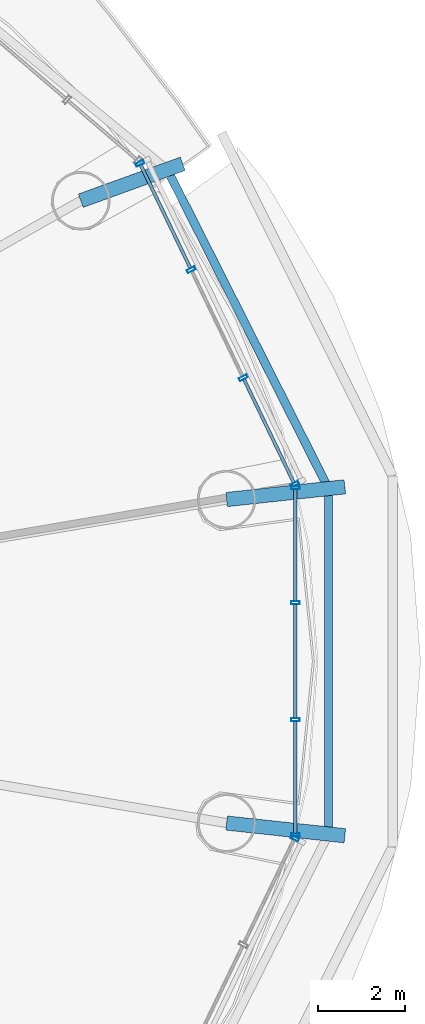
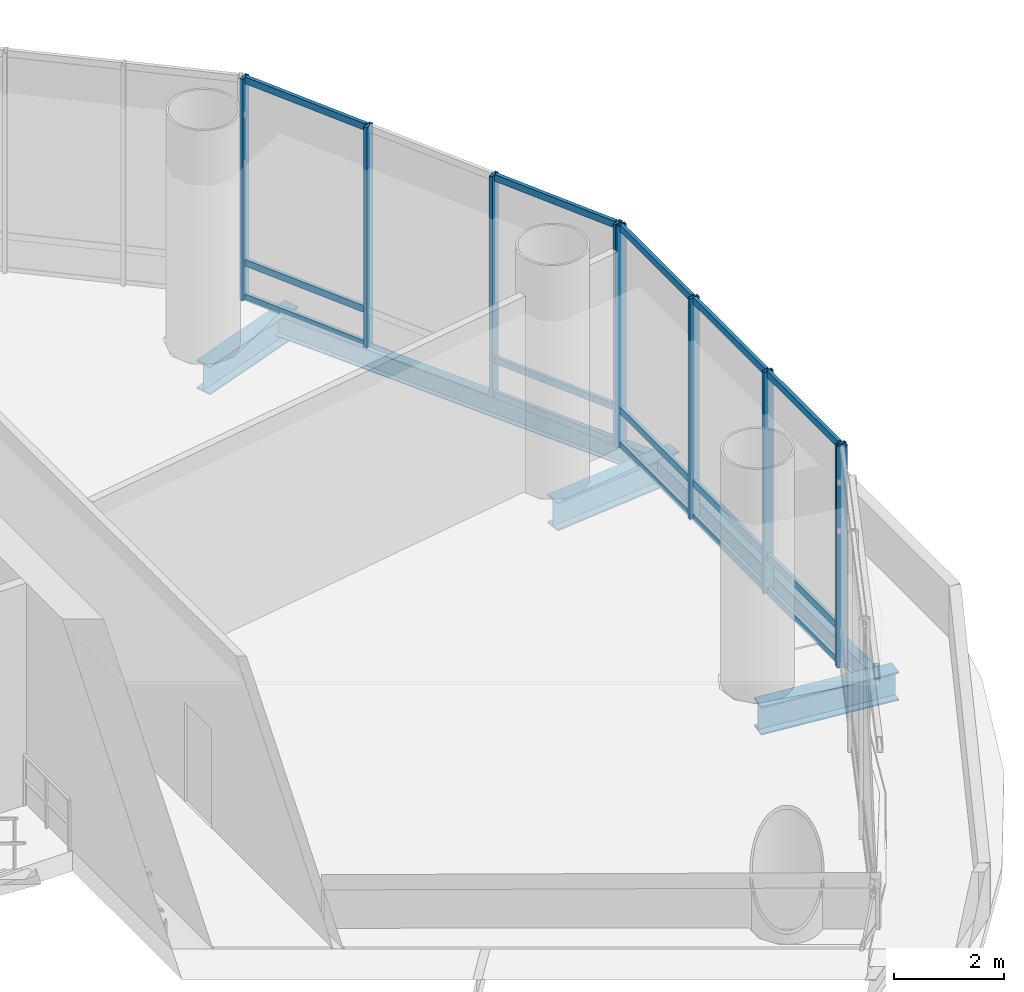
# One storey, part 13 of 29: 24 members, 5 beams, 3 elements without a shape of their own.
"""IFC4 building model written with IfcOpenShell, lengths in metres."""

from ifc_helpers import new_model, si_unit, direction, frame, origin, origin_2d, place, context, subcontext, project, spatial, hollow_rectangle, i_section, extrude, source, transform, mapped, material, material_profile, profile_set, type_object, element, aggregate, save


model = new_model("IFC4")

# Units and contexts
model_context = context("Model", 3, precision=1e-05, world=origin(), true_north=direction((-0.2419218956, 0.970295726276)))
body_context = subcontext(model_context, "Body", "Model", "MODEL_VIEW")
ifc_project = project(units=[si_unit("LENGTHUNIT", "METRE"), si_unit("AREAUNIT", "SQUARE_METRE"), si_unit("VOLUMEUNIT", "CUBIC_METRE"), si_unit("PLANEANGLEUNIT", "RADIAN"), si_unit("MASSUNIT", "GRAM", prefix="KILO")], contexts=[model_context])

# Site, building, storey
site_placement = place(None, origin())
site = spatial("IfcSite", under=ifc_project, at=site_placement, CompositionType="ELEMENT")
building_placement = place(site_placement, origin())
building = spatial("IfcBuilding", under=site, at=building_placement, Name="Cobrevalo Terracotta Tower", CompositionType="ELEMENT")
storey_placement = place(building_placement, frame((0.0, 0.0, 130.199951171875)))
storey = spatial("IfcBuildingStorey", under=building, at=storey_placement, Name="L34", CompositionType="ELEMENT", Elevation=130.199951171875)

# Beams
ifc_material_1 = material(Name="Steel S355", Category="steel")
ifc_material_profile_1 = material_profile(ifc_material_1, i_section(OverallWidth=0.3291015625, OverallDepth=0.635009765625, WebThickness=0.017822265625, FlangeThickness=0.031005859375, at=origin_2d()), Name="W 610x241")
ifc_profile_set_1 = profile_set([ifc_material_profile_1], Name="Steel S355")
beam_type_1 = type_object("IfcBeamType", Name="Structural Beam W 610x241 (Steel S355)", PredefinedType="BEAM", material=ifc_profile_set_1)
beam_1_placement = place(storey_placement, frame((62.848388671875, 30.830322265625, -0.767333984375), z_axis=(-0.994241385365, -0.107163742135, 0.0), x_axis=(0.107163742135, -0.994241385365, 0.0)))
element("IfcBeam", 1, at=beam_1_placement, inside=storey, type_object=beam_type_1, Name="L34 setback step-link girder 01", PredefinedType="BEAM", context=body_context, shape_type="SweptSolid", body=[
    extrude(i_section(OverallWidth=0.3291015625, OverallDepth=0.635009765625, WebThickness=0.017822265625, FlangeThickness=0.031005859375, at=origin_2d()), origin(), (0.0, 0.0, 1.0), 2.74755859375),
])
beam_2_placement = place(storey_placement, frame((59.1025390625, 38.290771484375, -0.767333984375), z_axis=(-0.94030515472, -0.340332508007, 0.0), x_axis=(0.340332508007, -0.94030515472, 0.0)))
element("IfcBeam", 2, at=beam_2_placement, inside=storey, type_object=beam_type_1, Name="L34 setback step-link girder 02", PredefinedType="BEAM", context=body_context, shape_type="SweptSolid", body=[
    extrude(i_section(OverallWidth=0.3291015625, OverallDepth=0.635009765625, WebThickness=0.017822265625, FlangeThickness=0.031005859375, at=origin_2d()), origin(), (0.0, 0.0, 1.0), 2.502197265625),
])
beam_3_placement = place(storey_placement, frame((62.848388671875, 22.769775390625, -0.767333984375), z_axis=(-0.994250849183, 0.107075902517, 0.0), x_axis=(-0.107075902517, -0.994250849183, 0.0)))
element("IfcBeam", 3, at=beam_3_placement, inside=storey, type_object=beam_type_1, Name="L34 setback step-link girder 16", PredefinedType="BEAM", context=body_context, shape_type="SweptSolid", body=[
    extrude(i_section(OverallWidth=0.3291015625, OverallDepth=0.635009765625, WebThickness=0.017822265625, FlangeThickness=0.031005859375, at=origin_2d()), origin(), (0.0, 0.0, 1.0), 2.74755859375),
])
ifc_material_profile_2 = material_profile(ifc_material_1, i_section(OverallWidth=0.194091796875, OverallDepth=0.468994140625, WebThickness=0.011474609375, FlangeThickness=0.0205078125, at=origin_2d()), Name="W 460x106")
ifc_profile_set_2 = profile_set([ifc_material_profile_2], Name="Steel S355")
beam_type_2 = type_object("IfcBeamType", Name="Structural Spandrel W 460x106 (Steel S355)", PredefinedType="SPANDREL", material=ifc_profile_set_2)
beam_4_placement = place(storey_placement, frame((62.470703125, 30.78955078125, -0.6845703125), z_axis=(-0.451051982172, 0.892497680321, 0.0), x_axis=(-0.892497680321, -0.451051982172, 0.0)))
element("IfcBeam", 4, at=beam_4_placement, inside=storey, type_object=beam_type_2, Name="L34 perimeter ring spandrel 01", PredefinedType="SPANDREL", context=body_context, shape_type="SweptSolid", body=[
    extrude(i_section(OverallWidth=0.194091796875, OverallDepth=0.468994140625, WebThickness=0.011474609375, FlangeThickness=0.0205078125, at=origin_2d()), origin(), (0.0, 0.0, 1.0), 8.259765625),
])
beam_5_placement = place(storey_placement, frame((62.470703125, 22.810302734375, -0.6845703125), z_axis=(0.0, 1.0, 0.0), x_axis=(-1.0, 0.0, 0.0)))
element("IfcBeam", 5, at=beam_5_placement, inside=storey, type_object=beam_type_2, Name="L34 perimeter ring spandrel 16", PredefinedType="SPANDREL", context=body_context, shape_type="SweptSolid", body=[
    extrude(i_section(OverallWidth=0.194091796875, OverallDepth=0.468994140625, WebThickness=0.011474609375, FlangeThickness=0.0205078125, at=origin_2d()), origin(), (0.0, 0.0, 1.0), 7.979248046875),
])

# Curtain wall, members
ifc_material_2 = material(Name="Anodized aluminium", Category="aluminium")
curtain_wall_type = type_object("IfcCurtainWallType", Name="Double-height sky-lobby panoramic curtain wall CW-SK", PredefinedType="NOTDEFINED", material=ifc_material_2)
curtain_wall_1_placement = place(storey_placement, origin())
curtain_wall_1 = element("IfcCurtainWall", 6, at=curtain_wall_1_placement, inside=storey, type_object=curtain_wall_type, Name="L34 curtain wall CW-SK-L34-S01", PredefinedType="NOTDEFINED")
ifc_material_profile_3 = material_profile(ifc_material_2, hollow_rectangle(XDim=0.074951171875, YDim=0.199951171875, WallThickness=0.0048828125, at=origin_2d()), Name="CWM 75x200")
ifc_profile_set_3 = profile_set([ifc_material_profile_3], Name="Anodized aluminium")
member_type_1 = type_object("IfcMemberType", Name="Lower/mid tower unitised mullion 75x200", PredefinedType="MULLION", material=ifc_profile_set_3)
shared_shape_1 = source(origin(), body_context, "Body", "SweptSolid", [
    extrude(hollow_rectangle(XDim=0.074951171875, YDim=0.199951171875, WallThickness=0.0048828125, at=origin_2d()), origin(), (0.0, 0.0, 1.0), 4.929931640625),
])
member_1_placement = place(storey_placement, frame((61.688232421875, 30.887939453125, 0.0), z_axis=(0.0, 0.0, 1.0), x_axis=(-0.434209440271, 0.900811945957, 0.0)))
member_1 = element("IfcMember", 7, at=member_1_placement, type_object=member_type_1, Name="CW-SK-L34-S01 vertical mullion 01", PredefinedType="MULLION", context=body_context, shape_type="MappedRepresentation", body=[
    mapped(shared_shape_1, transform((0.0, 0.0, 0.0), scale=1.0)),
])
member_2_placement = place(storey_placement, frame((60.502685546875, 33.34765625, 0.0), z_axis=(0.0, 0.0, 1.0), x_axis=(-0.434209440271, 0.900811945957, 0.0)))
member_2 = element("IfcMember", 8, at=member_2_placement, type_object=member_type_1, Name="CW-SK-L34-S01 vertical mullion 02", PredefinedType="MULLION", context=body_context, shape_type="MappedRepresentation", body=[
    mapped(shared_shape_1, transform((0.0, 0.0, 0.0), scale=1.0)),
])
member_3_placement = place(storey_placement, frame((59.299560546875, 35.843505859375, 0.0), z_axis=(0.0, 0.0, 1.0), x_axis=(-0.434209440271, 0.900811945957, 0.0)))
member_3 = element("IfcMember", 9, at=member_3_placement, type_object=member_type_1, Name="CW-SK-L34-S01 vertical mullion 03", PredefinedType="MULLION", context=body_context, shape_type="MappedRepresentation", body=[
    mapped(shared_shape_1, transform((0.0, 0.0, 0.0), scale=1.0)),
])
member_4_placement = place(storey_placement, frame((58.114013671875, 38.30322265625, 0.0), z_axis=(0.0, 0.0, 1.0), x_axis=(-0.434209440271, 0.900811945957, 0.0)))
member_4 = element("IfcMember", 10, at=member_4_placement, type_object=member_type_1, Name="CW-SK-L34-S01 vertical mullion 04", PredefinedType="MULLION", context=body_context, shape_type="MappedRepresentation", body=[
    mapped(shared_shape_1, transform((0.0, 0.0, 0.0), scale=1.0)),
])

# Curtain wall, member
curtain_wall_2_placement = place(storey_placement, origin())
curtain_wall_2 = element("IfcCurtainWall", 11, at=curtain_wall_2_placement, inside=storey, type_object=curtain_wall_type, Name="L34 curtain wall CW-SK-L34-S15", PredefinedType="NOTDEFINED")
member_5_placement = place(storey_placement, frame((61.688232421875, 22.7119140625, 0.0), z_axis=(0.0, 0.0, 1.0), x_axis=(0.434209440271, 0.900811945957, 0.0)))
member_5 = element("IfcMember", 12, at=member_5_placement, type_object=member_type_1, Name="CW-SK-L34-S15 vertical mullion 04", PredefinedType="MULLION", context=body_context, shape_type="MappedRepresentation", body=[
    mapped(shared_shape_1, transform((0.0, 0.0, 0.0), scale=1.0)),
])
aggregate(curtain_wall_2, [member_5])

# Curtain wall, members
curtain_wall_3_placement = place(storey_placement, origin())
curtain_wall_3 = element("IfcCurtainWall", 13, at=curtain_wall_3_placement, inside=storey, type_object=curtain_wall_type, Name="L34 curtain wall CW-SK-L34-S16", PredefinedType="NOTDEFINED")
member_6_placement = place(storey_placement, frame((61.70556640625, 22.7880859375, 0.0), z_axis=(0.0, 0.0, 1.0), x_axis=(0.0, 1.0, 0.0)))
member_6 = element("IfcMember", 14, at=member_6_placement, type_object=member_type_1, Name="CW-SK-L34-S16 vertical mullion 01", PredefinedType="MULLION", context=body_context, shape_type="MappedRepresentation", body=[
    mapped(shared_shape_1, transform((0.0, 0.0, 0.0), scale=1.0)),
])
member_7_placement = place(storey_placement, frame((61.70556640625, 25.44921875, 0.0), z_axis=(0.0, 0.0, 1.0), x_axis=(0.0, 1.0, 0.0)))
member_7 = element("IfcMember", 15, at=member_7_placement, type_object=member_type_1, Name="CW-SK-L34-S16 vertical mullion 02", PredefinedType="MULLION", context=body_context, shape_type="MappedRepresentation", body=[
    mapped(shared_shape_1, transform((0.0, 0.0, 0.0), scale=1.0)),
])
member_8_placement = place(storey_placement, frame((61.70556640625, 28.150634765625, 0.0), z_axis=(0.0, 0.0, 1.0), x_axis=(0.0, 1.0, 0.0)))
member_8 = element("IfcMember", 16, at=member_8_placement, type_object=member_type_1, Name="CW-SK-L34-S16 vertical mullion 03", PredefinedType="MULLION", context=body_context, shape_type="MappedRepresentation", body=[
    mapped(shared_shape_1, transform((0.0, 0.0, 0.0), scale=1.0)),
])
member_9_placement = place(storey_placement, frame((61.70556640625, 30.81201171875, 0.0), z_axis=(0.0, 0.0, 1.0), x_axis=(0.0, 1.0, 0.0)))
member_9 = element("IfcMember", 17, at=member_9_placement, type_object=member_type_1, Name="CW-SK-L34-S16 vertical mullion 04", PredefinedType="MULLION", context=body_context, shape_type="MappedRepresentation", body=[
    mapped(shared_shape_1, transform((0.0, 0.0, 0.0), scale=1.0)),
])

# Member
ifc_material_profile_4 = material_profile(ifc_material_2, hollow_rectangle(XDim=0.074951171875, YDim=0.14990234375, WallThickness=0.00439453125, at=origin_2d()), Name="CWT 75x150")
ifc_profile_set_4 = profile_set([ifc_material_profile_4], Name="Anodized aluminium")
member_type_2 = type_object("IfcMemberType", Name="Tower unitised aluminium transom 75x150", PredefinedType="USERDEFINED", material=ifc_profile_set_4)
shared_shape_2 = source(origin(), body_context, "Body", "SweptSolid", [
    extrude(hollow_rectangle(XDim=0.074951171875, YDim=0.14990234375, WallThickness=0.00439453125, at=origin_2d()), origin(), (0.0, 0.0, 1.0), 2.650634765625),
])
member_10_placement = place(storey_placement, frame((61.6708984375, 30.924072265625, 0.050048828125), z_axis=(-0.434197756715, 0.900817577572, 0.0), x_axis=(-0.900817577572, -0.434197756715, 0.0)))
member_10 = element("IfcMember", 18, at=member_10_placement, type_object=member_type_2, Name="CW-SK-L34-S01 transom B01-T1", ObjectType="TRANSOM", PredefinedType="USERDEFINED", context=body_context, shape_type="MappedRepresentation", body=[
    mapped(shared_shape_2, transform((0.0, 0.0, 0.0), scale=1.0)),
])

member_11_placement = place(storey_placement, frame((61.6708984375, 30.924072265625, 0.820068359375), z_axis=(-0.434197756715, 0.900817577572, 0.0), x_axis=(-0.900817577572, -0.434197756715, 0.0)))
member_11 = element("IfcMember", 19, at=member_11_placement, type_object=member_type_2, Name="CW-SK-L34-S01 transom B01-T2", ObjectType="TRANSOM", PredefinedType="USERDEFINED", context=body_context, shape_type="MappedRepresentation", body=[
    mapped(shared_shape_2, transform((0.0, 0.0, 0.0), scale=1.0)),
])

member_12_placement = place(storey_placement, frame((61.6708984375, 30.924072265625, 4.880126953125), z_axis=(-0.434197756715, 0.900817577572, 0.0), x_axis=(-0.900817577572, -0.434197756715, 0.0)))
member_12 = element("IfcMember", 20, at=member_12_placement, type_object=member_type_2, Name="CW-SK-L34-S01 transom B01-T3", ObjectType="TRANSOM", PredefinedType="USERDEFINED", context=body_context, shape_type="MappedRepresentation", body=[
    mapped(shared_shape_2, transform((0.0, 0.0, 0.0), scale=1.0)),
])

member_13_placement = place(storey_placement, frame((59.2822265625, 35.87939453125, 0.050048828125), z_axis=(-0.434197756715, 0.900817577572, 0.0), x_axis=(-0.900817577572, -0.434197756715, 0.0)))
member_13 = element("IfcMember", 21, at=member_13_placement, type_object=member_type_2, Name="CW-SK-L34-S01 transom B03-T1", ObjectType="TRANSOM", PredefinedType="USERDEFINED", context=body_context, shape_type="MappedRepresentation", body=[
    mapped(shared_shape_2, transform((0.0, 0.0, 0.0), scale=1.0)),
])

member_14_placement = place(storey_placement, frame((59.2822265625, 35.87939453125, 0.820068359375), z_axis=(-0.434197756715, 0.900817577572, 0.0), x_axis=(-0.900817577572, -0.434197756715, 0.0)))
member_14 = element("IfcMember", 22, at=member_14_placement, type_object=member_type_2, Name="CW-SK-L34-S01 transom B03-T2", ObjectType="TRANSOM", PredefinedType="USERDEFINED", context=body_context, shape_type="MappedRepresentation", body=[
    mapped(shared_shape_2, transform((0.0, 0.0, 0.0), scale=1.0)),
])

member_15_placement = place(storey_placement, frame((59.2822265625, 35.87939453125, 4.880126953125), z_axis=(-0.434197756715, 0.900817577572, 0.0), x_axis=(-0.900817577572, -0.434197756715, 0.0)))
member_15 = element("IfcMember", 23, at=member_15_placement, type_object=member_type_2, Name="CW-SK-L34-S01 transom B03-T3", ObjectType="TRANSOM", PredefinedType="USERDEFINED", context=body_context, shape_type="MappedRepresentation", body=[
    mapped(shared_shape_2, transform((0.0, 0.0, 0.0), scale=1.0)),
])

aggregate(curtain_wall_1, [member_1, member_2, member_3, member_4, member_10, member_11, member_12, member_13, member_14, member_15])

shared_shape_3 = source(origin(), body_context, "Body", "SweptSolid", [
    extrude(hollow_rectangle(XDim=0.074951171875, YDim=0.14990234375, WallThickness=0.00439453125, at=origin_2d()), origin(), (0.0, 0.0, 1.0), 2.581298828125),
])
member_16_placement = place(storey_placement, frame((61.70556640625, 28.190673828125, 0.050048828125), z_axis=(0.0, 1.0, 0.0), x_axis=(-1.0, 0.0, 0.0)))
member_16 = element("IfcMember", 24, at=member_16_placement, type_object=member_type_2, Name="CW-SK-L34-S16 transom B03-T1", ObjectType="TRANSOM", PredefinedType="USERDEFINED", context=body_context, shape_type="MappedRepresentation", body=[
    mapped(shared_shape_3, transform((0.0, 0.0, 0.0), scale=1.0)),
])

member_17_placement = place(storey_placement, frame((61.70556640625, 28.190673828125, 0.820068359375), z_axis=(0.0, 1.0, 0.0), x_axis=(-1.0, 0.0, 0.0)))
member_17 = element("IfcMember", 25, at=member_17_placement, type_object=member_type_2, Name="CW-SK-L34-S16 transom B03-T2", ObjectType="TRANSOM", PredefinedType="USERDEFINED", context=body_context, shape_type="MappedRepresentation", body=[
    mapped(shared_shape_3, transform((0.0, 0.0, 0.0), scale=1.0)),
])

member_18_placement = place(storey_placement, frame((61.70556640625, 28.190673828125, 4.880126953125), z_axis=(0.0, 1.0, 0.0), x_axis=(-1.0, 0.0, 0.0)))
member_18 = element("IfcMember", 26, at=member_18_placement, type_object=member_type_2, Name="CW-SK-L34-S16 transom B03-T3", ObjectType="TRANSOM", PredefinedType="USERDEFINED", context=body_context, shape_type="MappedRepresentation", body=[
    mapped(shared_shape_3, transform((0.0, 0.0, 0.0), scale=1.0)),
])

shared_shape_4 = source(origin(), body_context, "Body", "SweptSolid", [
    extrude(hollow_rectangle(XDim=0.074951171875, YDim=0.14990234375, WallThickness=0.00439453125, at=origin_2d()), origin(), (0.0, 0.0, 1.0), 2.621337890625),
])
member_19_placement = place(storey_placement, frame((61.70556640625, 25.4892578125, 0.050048828125), z_axis=(0.0, 1.0, 0.0), x_axis=(-1.0, 0.0, 0.0)))
member_19 = element("IfcMember", 27, at=member_19_placement, type_object=member_type_2, Name="CW-SK-L34-S16 transom B02-T1", ObjectType="TRANSOM", PredefinedType="USERDEFINED", context=body_context, shape_type="MappedRepresentation", body=[
    mapped(shared_shape_4, transform((0.0, 0.0, 0.0), scale=1.0)),
])

member_20_placement = place(storey_placement, frame((61.70556640625, 25.4892578125, 0.820068359375), z_axis=(0.0, 1.0, 0.0), x_axis=(-1.0, 0.0, 0.0)))
member_20 = element("IfcMember", 28, at=member_20_placement, type_object=member_type_2, Name="CW-SK-L34-S16 transom B02-T2", ObjectType="TRANSOM", PredefinedType="USERDEFINED", context=body_context, shape_type="MappedRepresentation", body=[
    mapped(shared_shape_4, transform((0.0, 0.0, 0.0), scale=1.0)),
])

member_21_placement = place(storey_placement, frame((61.70556640625, 25.4892578125, 4.880126953125), z_axis=(0.0, 1.0, 0.0), x_axis=(-1.0, 0.0, 0.0)))
member_21 = element("IfcMember", 29, at=member_21_placement, type_object=member_type_2, Name="CW-SK-L34-S16 transom B02-T3", ObjectType="TRANSOM", PredefinedType="USERDEFINED", context=body_context, shape_type="MappedRepresentation", body=[
    mapped(shared_shape_4, transform((0.0, 0.0, 0.0), scale=1.0)),
])

shared_shape_5 = source(origin(), body_context, "Body", "SweptSolid", [
    extrude(hollow_rectangle(XDim=0.074951171875, YDim=0.14990234375, WallThickness=0.00439453125, at=origin_2d()), origin(), (0.0, 0.0, 1.0), 2.58154296875),
])
member_22_placement = place(storey_placement, frame((61.70556640625, 22.827880859375, 0.050048828125), z_axis=(0.0, 1.0, 0.0), x_axis=(-1.0, 0.0, 0.0)))
member_22 = element("IfcMember", 30, at=member_22_placement, type_object=member_type_2, Name="CW-SK-L34-S16 transom B01-T1", ObjectType="TRANSOM", PredefinedType="USERDEFINED", context=body_context, shape_type="MappedRepresentation", body=[
    mapped(shared_shape_5, transform((0.0, 0.0, 0.0), scale=1.0)),
])

member_23_placement = place(storey_placement, frame((61.70556640625, 22.827880859375, 0.820068359375), z_axis=(0.0, 1.0, 0.0), x_axis=(-1.0, 0.0, 0.0)))
member_23 = element("IfcMember", 31, at=member_23_placement, type_object=member_type_2, Name="CW-SK-L34-S16 transom B01-T2", ObjectType="TRANSOM", PredefinedType="USERDEFINED", context=body_context, shape_type="MappedRepresentation", body=[
    mapped(shared_shape_5, transform((0.0, 0.0, 0.0), scale=1.0)),
])

member_24_placement = place(storey_placement, frame((61.70556640625, 22.827880859375, 4.880126953125), z_axis=(0.0, 1.0, 0.0), x_axis=(-1.0, 0.0, 0.0)))
member_24 = element("IfcMember", 32, at=member_24_placement, type_object=member_type_2, Name="CW-SK-L34-S16 transom B01-T3", ObjectType="TRANSOM", PredefinedType="USERDEFINED", context=body_context, shape_type="MappedRepresentation", body=[
    mapped(shared_shape_5, transform((0.0, 0.0, 0.0), scale=1.0)),
])

aggregate(curtain_wall_3, [member_6, member_7, member_8, member_9, member_22, member_23, member_24, member_19, member_20, member_21, member_16, member_17, member_18])

save(model, "model.ifc")
